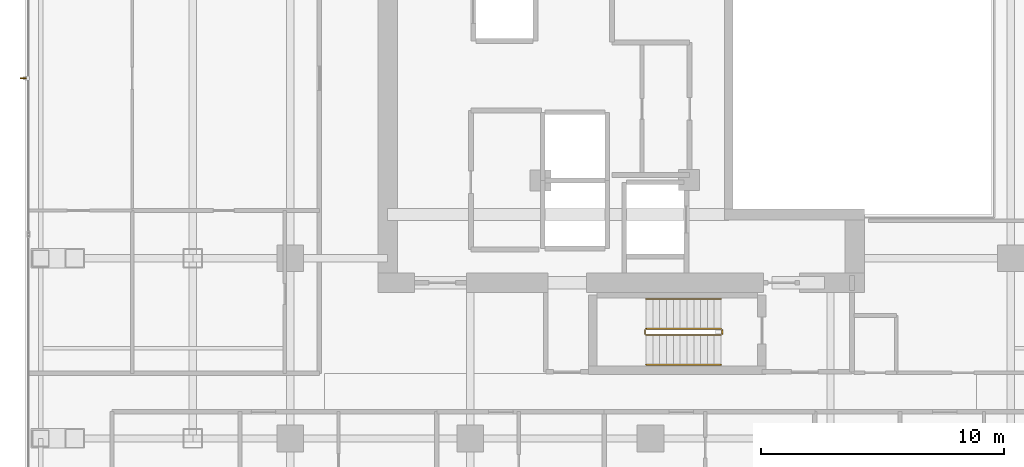
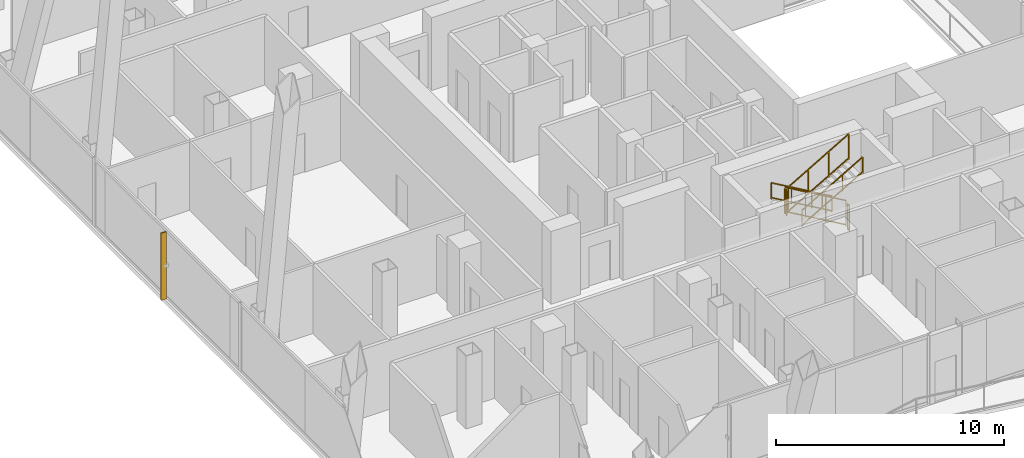
# One storey, part 30 of 34: 6 railings, 1 shading device.
"""IFC4 building model written with IfcOpenShell, lengths in metres."""

from ifc_helpers import new_model, si_unit, direction, frame, origin, origin_2d, place, context, subcontext, project, spatial, rectangle, extrude, material, layer, layer_set, type_object, element, save


model = new_model("IFC4")

# Units and contexts
model_context = context("Model", 3, precision=1e-05, world=origin(), true_north=direction((0.0, 1.0)))
body_context = subcontext(model_context, "Body", "Model", "MODEL_VIEW")
ifc_project = project(units=[si_unit("LENGTHUNIT", "METRE"), si_unit("AREAUNIT", "SQUARE_METRE"), si_unit("VOLUMEUNIT", "CUBIC_METRE"), si_unit("PLANEANGLEUNIT", "RADIAN"), si_unit("MASSUNIT", "GRAM", prefix="KILO")], contexts=[model_context])

# Site, building, storey
site_placement = place(None, origin())
site = spatial("IfcSite", under=ifc_project, at=site_placement, CompositionType="ELEMENT")
building_placement = place(site_placement, origin())
building = spatial("IfcBuilding", under=site, at=building_placement, Name="Khorvyn Point Tower", CompositionType="ELEMENT")
storey_placement = place(building_placement, frame((0.0, 0.0, 175.800048828125)))
storey = spatial("IfcBuildingStorey", under=building, at=storey_placement, Name="L43", CompositionType="ELEMENT", Elevation=175.800048828125)

# Shading device
ifc_material_1 = material(Name="Pale anodised aluminium 6063-T6", Category="aluminium")
ifc_layer = layer(ifc_material_1, 0.054931640625)
ifc_layer_set = layer_set([ifc_layer], Name="Pale Anodised Aluminium FIN 260x55")
shading_device_type = type_object("IfcShadingDeviceType", Name="Pale Anodised Aluminium FIN 260x55", PredefinedType="USERDEFINED", material=ifc_layer_set)
shading_device_placement = place(storey_placement, frame((-25.77001953125, 0.0, 0.039794921875), z_axis=(0.0, 0.0, 1.0), x_axis=(-1.0, 0.0, 0.0)))
element("IfcShadingDevice", 1, at=shading_device_placement, inside=storey, type_object=shading_device_type, Name="L43 Anodised FIN 01", ObjectType="FIN", PredefinedType="USERDEFINED", context=body_context, shape_type="SweptSolid", body=[
    extrude(rectangle(XDim=0.260009765625, YDim=0.054931640625, at=origin_2d()), origin(), (0.0, 0.0, 1.0), 3.60009765625),
])

# Railings
ifc_material_2 = material(Name="Stainless steel 1.4301", Category="steel")
railing_type_1 = type_object("IfcRailingType", Name="Stainless Steel 304 Stair Pitch Handrail 900", PredefinedType="HANDRAIL", material=ifc_material_2)
railing_1_placement = place(storey_placement, frame((2.89990234375, -9.070068359375, 0.162353515625)))
element("IfcRailing", 2, at=railing_1_placement, inside=storey, type_object=railing_type_1, Name="L43 ST-01 stair handrail 1", PredefinedType="HANDRAIL", context=body_context, shape_type="SweptSolid", body=[
    extrude(rectangle(XDim=0.048095703125, YDim=0.048095703125, at=origin_2d()), frame((0.0, 0.0, 0.8759765625), z_axis=(-0.864873446163, 0.0, 0.501989962173), x_axis=(0.0, -1.0, 0.0)), (0.0, 0.0, 1.0), 3.56103515625),
    extrude(rectangle(XDim=0.048095703125, YDim=0.048095703125, at=origin_2d()), frame((0.0, 0.0, 0.080078125), z_axis=(-0.864873446163, 0.0, 0.501989962173), x_axis=(0.0, -1.0, 0.0)), (0.0, 0.0, 1.0), 3.56103515625),
    extrude(rectangle(XDim=0.0419921875, YDim=0.0419921875, at=origin_2d()), origin(), (0.0, 0.0, 1.0), 0.851806640625),
    extrude(rectangle(XDim=0.0419921875, YDim=0.0419921875, at=origin_2d()), frame((-1.026611328125, 0.0, 0.595947265625)), (0.0, 0.0, 1.0), 0.851806640625),
    extrude(rectangle(XDim=0.0419921875, YDim=0.0419921875, at=origin_2d()), frame((-2.05322265625, 0.0, 1.191650390625)), (0.0, 0.0, 1.0), 0.851806640625),
    extrude(rectangle(XDim=0.0419921875, YDim=0.0419921875, at=origin_2d()), frame((-3.079833984375, 0.0, 1.78759765625)), (0.0, 0.0, 1.0), 0.851806640625),
])
railing_2_placement = place(storey_placement, frame((-0.179931640625, -11.77001953125, 2.112548828125)))
element("IfcRailing", 3, at=railing_2_placement, inside=storey, type_object=railing_type_1, Name="L43 ST-01 stair handrail 2", PredefinedType="HANDRAIL", context=body_context, shape_type="SweptSolid", body=[
    extrude(rectangle(XDim=0.048095703125, YDim=0.048095703125, at=origin_2d()), frame((0.0, 0.0, 0.8759765625), z_axis=(0.864903211148, 0.0, 0.501938676878), x_axis=(0.0, 1.0, 0.0)), (0.0, 0.0, 1.0), 3.560791015625),
    extrude(rectangle(XDim=0.048095703125, YDim=0.048095703125, at=origin_2d()), frame((0.0, 0.0, 0.080078125), z_axis=(0.864903211148, 0.0, 0.501938676878), x_axis=(0.0, 1.0, 0.0)), (0.0, 0.0, 1.0), 3.560791015625),
    extrude(rectangle(XDim=0.0419921875, YDim=0.0419921875, at=origin_2d()), origin(), (0.0, 0.0, 1.0), 0.851806640625),
    extrude(rectangle(XDim=0.0419921875, YDim=0.0419921875, at=origin_2d()), frame((1.026611328125, 0.0, 0.595703125)), (0.0, 0.0, 1.0), 0.851806640625),
    extrude(rectangle(XDim=0.0419921875, YDim=0.0419921875, at=origin_2d()), frame((2.05322265625, 0.0, 1.191650390625)), (0.0, 0.0, 1.0), 0.851806640625),
    extrude(rectangle(XDim=0.0419921875, YDim=0.0419921875, at=origin_2d()), frame((3.079833984375, 0.0, 1.787353515625)), (0.0, 0.0, 1.0), 0.851806640625),
])
railing_type_2 = type_object("IfcRailingType", Name="Stainless Steel 304 Stair Well Guardrail 1400", PredefinedType="GUARDRAIL", material=ifc_material_2)
railing_3_placement = place(storey_placement, frame((2.89990234375, -10.2900390625, 0.162353515625)))
element("IfcRailing", 4, at=railing_3_placement, inside=storey, type_object=railing_type_2, Name="L43 ST-01 stair guard 1", PredefinedType="GUARDRAIL", context=body_context, shape_type="SweptSolid", body=[
    extrude(rectangle(XDim=0.048095703125, YDim=0.048095703125, at=origin_2d()), frame((0.0, 0.0, 1.3759765625), z_axis=(-0.864873446163, 0.0, 0.501989962173), x_axis=(0.0, -1.0, 0.0)), (0.0, 0.0, 1.0), 3.56103515625),
    extrude(rectangle(XDim=0.048095703125, YDim=0.048095703125, at=origin_2d()), frame((0.0, 0.0, 0.080078125), z_axis=(-0.864873446163, 0.0, 0.501989962173), x_axis=(0.0, -1.0, 0.0)), (0.0, 0.0, 1.0), 3.56103515625),
    extrude(rectangle(XDim=0.0419921875, YDim=0.0419921875, at=origin_2d()), origin(), (0.0, 0.0, 1.0), 1.351806640625),
    extrude(rectangle(XDim=0.0419921875, YDim=0.0419921875, at=origin_2d()), frame((-1.026611328125, 0.0, 0.595947265625)), (0.0, 0.0, 1.0), 1.351806640625),
    extrude(rectangle(XDim=0.0419921875, YDim=0.0419921875, at=origin_2d()), frame((-2.05322265625, 0.0, 1.191650390625)), (0.0, 0.0, 1.0), 1.351806640625),
    extrude(rectangle(XDim=0.0419921875, YDim=0.0419921875, at=origin_2d()), frame((-3.079833984375, 0.0, 1.78759765625)), (0.0, 0.0, 1.0), 1.351806640625),
])
railing_4_placement = place(storey_placement, frame((-0.22998046875, -10.340087890625, 1.949951171875)))
element("IfcRailing", 5, at=railing_4_placement, inside=storey, type_object=railing_type_2, Name="L43 ST-01 stair guard 2", PredefinedType="GUARDRAIL", context=body_context, shape_type="SweptSolid", body=[
    extrude(rectangle(XDim=0.048095703125, YDim=0.048095703125, at=origin_2d()), frame((0.0, 0.0, 1.3759765625), z_axis=(0.0, -1.0, 0.0), x_axis=(1.0, 0.0, 0.0)), (0.0, 0.0, 1.0), 0.159912109375),
    extrude(rectangle(XDim=0.048095703125, YDim=0.048095703125, at=origin_2d()), frame((0.0, 0.0, 0.080078125), z_axis=(0.0, -1.0, 0.0), x_axis=(1.0, 0.0, 0.0)), (0.0, 0.0, 1.0), 0.159912109375),
    extrude(rectangle(XDim=0.0419921875, YDim=0.0419921875, at=origin_2d()), origin(), (0.0, 0.0, 1.0), 1.351806640625),
    extrude(rectangle(XDim=0.0419921875, YDim=0.0419921875, at=origin_2d()), frame((0.0, -0.159912109375, 0.0)), (0.0, 0.0, 1.0), 1.351806640625),
])
railing_5_placement = place(storey_placement, frame((-0.179931640625, -10.550048828125, 2.112548828125)))
element("IfcRailing", 6, at=railing_5_placement, inside=storey, type_object=railing_type_2, Name="L43 ST-01 stair guard 3", PredefinedType="GUARDRAIL", context=body_context, shape_type="SweptSolid", body=[
    extrude(rectangle(XDim=0.048095703125, YDim=0.048095703125, at=origin_2d()), frame((0.0, 0.0, 1.3759765625), z_axis=(0.864903211148, 0.0, 0.501938676878), x_axis=(0.0, 1.0, 0.0)), (0.0, 0.0, 1.0), 3.560791015625),
    extrude(rectangle(XDim=0.048095703125, YDim=0.048095703125, at=origin_2d()), frame((0.0, 0.0, 0.080078125), z_axis=(0.864903211148, 0.0, 0.501938676878), x_axis=(0.0, 1.0, 0.0)), (0.0, 0.0, 1.0), 3.560791015625),
    extrude(rectangle(XDim=0.0419921875, YDim=0.0419921875, at=origin_2d()), origin(), (0.0, 0.0, 1.0), 1.351806640625),
    extrude(rectangle(XDim=0.0419921875, YDim=0.0419921875, at=origin_2d()), frame((1.026611328125, 0.0, 0.595703125)), (0.0, 0.0, 1.0), 1.351806640625),
    extrude(rectangle(XDim=0.0419921875, YDim=0.0419921875, at=origin_2d()), frame((2.05322265625, 0.0, 1.191650390625)), (0.0, 0.0, 1.0), 1.351806640625),
    extrude(rectangle(XDim=0.0419921875, YDim=0.0419921875, at=origin_2d()), frame((3.079833984375, 0.0, 1.787353515625)), (0.0, 0.0, 1.0), 1.351806640625),
])
railing_6_placement = place(storey_placement, frame((2.949951171875, -10.340087890625, 0.0)))
element("IfcRailing", 7, at=railing_6_placement, inside=storey, type_object=railing_type_2, Name="L43 ST-01 stair guard 4", PredefinedType="GUARDRAIL", context=body_context, shape_type="SweptSolid", body=[
    extrude(rectangle(XDim=0.048095703125, YDim=0.048095703125, at=origin_2d()), frame((0.0, 0.0, 1.3759765625), z_axis=(0.0, -1.0, 0.0), x_axis=(1.0, 0.0, 0.0)), (0.0, 0.0, 1.0), 0.159912109375),
    extrude(rectangle(XDim=0.048095703125, YDim=0.048095703125, at=origin_2d()), frame((0.0, 0.0, 0.080078125), z_axis=(0.0, -1.0, 0.0), x_axis=(1.0, 0.0, 0.0)), (0.0, 0.0, 1.0), 0.159912109375),
    extrude(rectangle(XDim=0.0419921875, YDim=0.0419921875, at=origin_2d()), origin(), (0.0, 0.0, 1.0), 1.351806640625),
    extrude(rectangle(XDim=0.0419921875, YDim=0.0419921875, at=origin_2d()), frame((0.0, -0.159912109375, 0.0)), (0.0, 0.0, 1.0), 1.351806640625),
])

save(model, "model.ifc")
